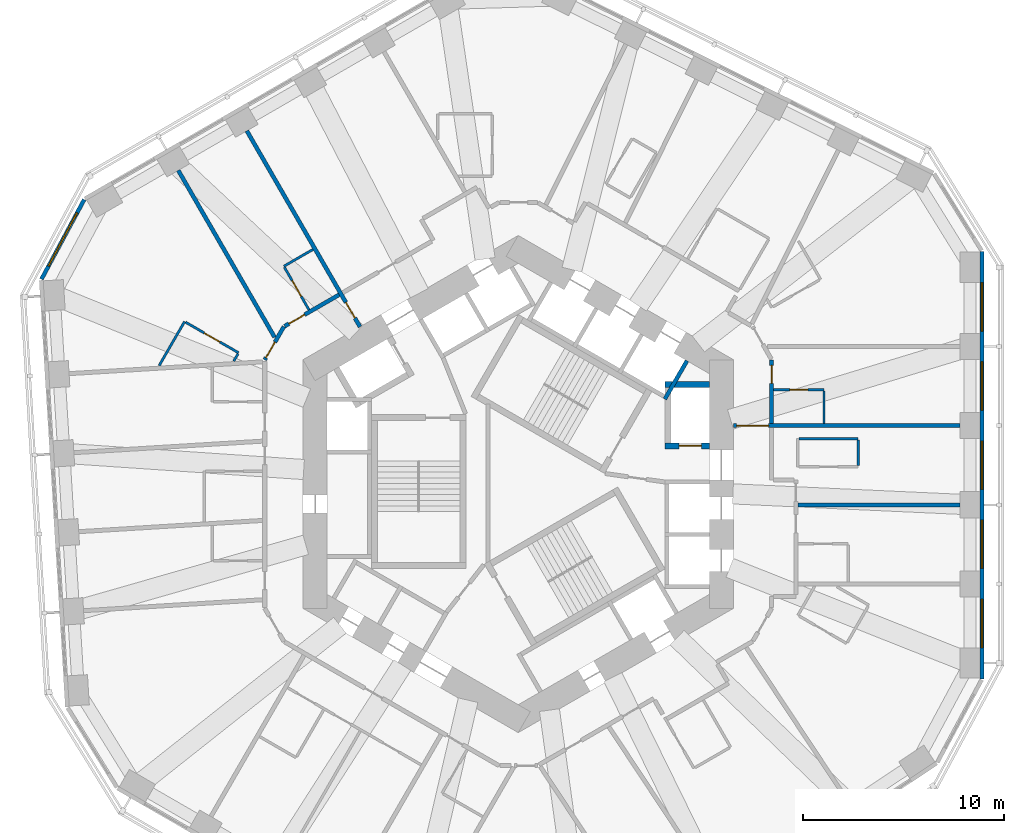
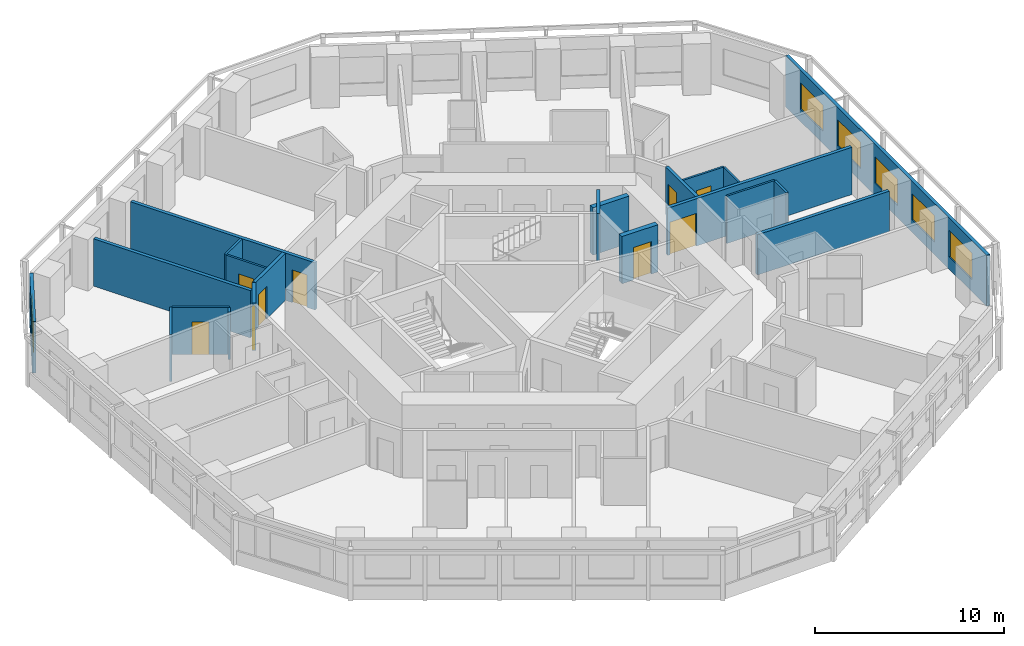
# One storey, part 7 of 12: 21 walls, 9 doors, 6 windows, 15 openings.
"""IFC4 building model written with IfcOpenShell, lengths in metres."""

from ifc_helpers import new_model, si_unit, direction, frame, frame_2d, origin, place, context, subcontext, project, spatial, rectangle, extrude, material, layer, layer_set, type_object, element, fill, save


model = new_model("IFC4")

# Units and contexts
model_context = context("Model", 3, precision=1e-05, world=origin(), true_north=direction((0.0, 1.0)))
body_context = subcontext(model_context, "Body", "Model", "MODEL_VIEW")
ifc_project = project(units=[si_unit("LENGTHUNIT", "METRE"), si_unit("AREAUNIT", "SQUARE_METRE"), si_unit("VOLUMEUNIT", "CUBIC_METRE"), si_unit("PLANEANGLEUNIT", "RADIAN"), si_unit("MASSUNIT", "GRAM", prefix="KILO")], contexts=[model_context])

# Site, building, storey
site_placement = place(None, origin())
site = spatial("IfcSite", under=ifc_project, at=site_placement, CompositionType="ELEMENT")
building_placement = place(site_placement, origin())
building = spatial("IfcBuilding", under=site, at=building_placement, Name="Vanh Sen Convention Tower", CompositionType="ELEMENT")
storey_placement = place(building_placement, frame((0.0, 0.0, 53.89990234375)))
storey = spatial("IfcBuildingStorey", under=building, at=storey_placement, Name="L10", CompositionType="ELEMENT", Elevation=53.89990234375)

# Wall
ifc_material_1 = material(Name="Moisture-resistant gypsum board on steel studs", Category="steel")
ifc_layer_1 = layer(ifc_material_1, 0.1201171875)
ifc_layer_set_1 = layer_set([ifc_layer_1], Name="Moisture-resistant gypsum board on steel studs")
wall_type_1 = type_object("IfcWallType", Name="Bathroom partition 120", PredefinedType="PARTITIONING", material=ifc_layer_set_1)
wall_1_placement = place(storey_placement, frame((-17.849365234375, 5.885498046875, 0.0), z_axis=(0.0, 0.0, 1.0), x_axis=(0.500034589094, 0.866005432841, 0.0)))
element("IfcWall", 1, at=wall_1_placement, inside=storey, type_object=wall_type_1, Name="Bathroom partition 120", PredefinedType="PARTITIONING", context=body_context, shape_type="SweptSolid", body=[
    extrude(rectangle(XDim=2.527587890625, YDim=0.1201171875, at=frame_2d((1.263671875, 0.0))), origin(), (0.0, 0.0, 1.0), 3.050048828125),
])

# Wall, opening, door
wall_2_placement = place(storey_placement, frame((-16.533447265625, 8.04443359375, 0.0), z_axis=(0.0, 0.0, 1.0), x_axis=(0.86601037836, -0.500026023896, 0.0)))
wall_2 = element("IfcWall", 2, at=wall_2_placement, inside=storey, type_object=wall_type_1, Name="Bathroom partition 120", PredefinedType="PARTITIONING", context=body_context, shape_type="SweptSolid", body=[
    extrude(rectangle(XDim=3.039794921875, YDim=0.1201171875, at=frame_2d((1.52001953125, 0.0))), origin(), (0.0, 0.0, 1.0), 3.050048828125),
])
opening_1_placement = place(wall_2_placement, frame((1.070068359375, 0.0, 0.0)))
opening_1 = element("IfcOpeningElement", 3, at=opening_1_placement, cuts=wall_2, Name="Opening D10119", PredefinedType="OPENING", context=body_context, shape_type="SweptSolid", body=[
    extrude(rectangle(XDim=0.89990234375, YDim=2.10009765625, at=frame_2d((0.449951171875, 1.050048828125))), frame((0.0, 0.070068359375, 0.0), z_axis=(0.0, -1.0, 0.0), x_axis=(1.0, 0.0, 0.0)), (0.0, 0.0, 1.0), 0.14013671875),
])
ifc_material_2 = material(Name="Laminate door in steel frame", Category="steel")
door_type_1 = type_object("IfcDoorType", Name="En-suite door 900", OperationType="SINGLE_SWING_LEFT", PredefinedType="DOOR", material=ifc_material_2)
door_1_placement = place(opening_1_placement, origin())
door_1 = element("IfcDoor", 4, at=door_1_placement, inside=storey, type_object=door_type_1, Name="En-suite door D10119", OperationType="SINGLE_SWING_LEFT", OverallHeight=2.10009765625, OverallWidth=0.89990234375, PredefinedType="DOOR", context=body_context, shape_type="SweptSolid", body=[
    extrude(rectangle(XDim=0.89990234375, YDim=2.10009765625, at=frame_2d((0.449951171875, 1.050048828125))), frame((0.0, 0.02490234375, 0.0), z_axis=(0.0, -1.0, 0.0), x_axis=(1.0, 0.0, 0.0)), (0.0, 0.0, 1.0), 0.050048828125),
])
fill(opening_1, door_1)

# Walls
wall_3_placement = place(storey_placement, frame((-13.930908203125, 6.472412109375, 0.0), z_axis=(0.0, 0.0, 1.0), x_axis=(-0.499739399214, -0.866175809448, 0.0)))
element("IfcWall", 5, at=wall_3_placement, inside=storey, type_object=wall_type_1, Name="Bathroom partition 120", PredefinedType="PARTITIONING", context=body_context, shape_type="SweptSolid", body=[
    extrude(rectangle(XDim=0.415771484375, YDim=0.1201171875, at=frame_2d((0.2080078125, 0.0))), origin(), (0.0, 0.0, 1.0), 3.050048828125),
])
wall_4_placement = place(storey_placement, frame((-11.65087890625, 10.82470703125, 0.0), z_axis=(0.0, 0.0, 1.0), x_axis=(0.865998477143, 0.500046635412, 0.0)))
element("IfcWall", 6, at=wall_4_placement, inside=storey, type_object=wall_type_1, Name="Bathroom partition 120", PredefinedType="PARTITIONING", context=body_context, shape_type="SweptSolid", body=[
    extrude(rectangle(XDim=1.673095703125, YDim=0.1201171875, at=frame_2d((0.83642578125, 0.0))), origin(), (0.0, 0.0, 1.0), 3.050048828125),
])

# Wall, opening, door
wall_5_placement = place(storey_placement, frame((-10.40087890625, 8.65966796875, 0.0), z_axis=(0.0, 0.0, 1.0), x_axis=(-0.500077547548, 0.865980627057, 0.0)))
wall_5 = element("IfcWall", 7, at=wall_5_placement, inside=storey, type_object=wall_type_1, Name="Bathroom partition 120", PredefinedType="PARTITIONING", context=body_context, shape_type="SweptSolid", body=[
    extrude(rectangle(XDim=2.43994140625, YDim=0.1201171875, at=frame_2d((1.219970703125, 0.0))), origin(), (0.0, 0.0, 1.0), 3.050048828125),
])
opening_2_placement = place(wall_5_placement, frame((0.77001953125, 0.0, 0.0)))
opening_2 = element("IfcOpeningElement", 8, at=opening_2_placement, cuts=wall_5, Name="Opening D10117", PredefinedType="OPENING", context=body_context, shape_type="SweptSolid", body=[
    extrude(rectangle(XDim=0.89990234375, YDim=2.10009765625, at=frame_2d((0.449951171875, 1.050048828125))), frame((0.0, 0.070068359375, 0.0), z_axis=(0.0, -1.0, 0.0), x_axis=(1.0, 0.0, 0.0)), (0.0, 0.0, 1.0), 0.14013671875),
])
door_2_placement = place(opening_2_placement, origin())
door_2 = element("IfcDoor", 9, at=door_2_placement, inside=storey, type_object=door_type_1, Name="En-suite door D10117", OperationType="SINGLE_SWING_LEFT", OverallHeight=2.10009765625, OverallWidth=0.89990234375, PredefinedType="DOOR", context=body_context, shape_type="SweptSolid", body=[
    extrude(rectangle(XDim=0.89990234375, YDim=2.10009765625, at=frame_2d((0.449951171875, 1.050048828125))), frame((0.0, 0.02490234375, 0.0), z_axis=(0.0, -1.0, 0.0), x_axis=(1.0, 0.0, 0.0)), (0.0, 0.0, 1.0), 0.050048828125),
])
fill(opening_2, door_2)

wall_6_placement = place(storey_placement, frame((12.699951171875, 4.677490234375, 0.0), z_axis=(0.0, 0.0, 1.0), x_axis=(1.0, 0.0, 0.0)))
wall_6 = element("IfcWall", 10, at=wall_6_placement, inside=storey, type_object=wall_type_1, Name="Bathroom partition 120", PredefinedType="PARTITIONING", context=body_context, shape_type="SweptSolid", body=[
    extrude(rectangle(XDim=2.5, YDim=0.1201171875, at=frame_2d((1.25, 0.0))), origin(), (0.0, 0.0, 1.0), 3.050048828125),
])
opening_3_placement = place(wall_6_placement, frame((0.800048828125, 0.0, 0.0)))
opening_3 = element("IfcOpeningElement", 11, at=opening_3_placement, cuts=wall_6, Name="Opening D10106", PredefinedType="OPENING", context=body_context, shape_type="SweptSolid", body=[
    extrude(rectangle(XDim=0.89990234375, YDim=2.10009765625, at=frame_2d((0.449951171875, 1.050048828125))), frame((0.0, 0.070068359375, 0.0), z_axis=(0.0, -1.0, 0.0), x_axis=(1.0, 0.0, 0.0)), (0.0, 0.0, 1.0), 0.14013671875),
])
door_3_placement = place(opening_3_placement, origin())
door_3 = element("IfcDoor", 12, at=door_3_placement, inside=storey, type_object=door_type_1, Name="En-suite door D10106", OperationType="SINGLE_SWING_LEFT", OverallHeight=2.10009765625, OverallWidth=0.89990234375, PredefinedType="DOOR", context=body_context, shape_type="SweptSolid", body=[
    extrude(rectangle(XDim=0.89990234375, YDim=2.10009765625, at=frame_2d((0.449951171875, 1.050048828125))), frame((0.0, 0.02490234375, 0.0), z_axis=(0.0, -1.0, 0.0), x_axis=(1.0, 0.0, 0.0)), (0.0, 0.0, 1.0), 0.050048828125),
])
fill(opening_3, door_3)

# Walls
wall_7_placement = place(storey_placement, frame((13.9599609375, 2.252685546875, 0.0), z_axis=(0.0, 0.0, 1.0), x_axis=(1.0, 0.0, 0.0)))
element("IfcWall", 13, at=wall_7_placement, inside=storey, type_object=wall_type_1, Name="Bathroom partition 120", PredefinedType="PARTITIONING", context=body_context, shape_type="SweptSolid", body=[
    extrude(rectangle(XDim=2.93994140625, YDim=0.1201171875, at=frame_2d((1.469970703125, 0.0))), origin(), (0.0, 0.0, 1.0), 3.050048828125),
])
wall_8_placement = place(storey_placement, frame((15.199951171875, 4.61767578125, 0.0), z_axis=(0.0, 0.0, 1.0), x_axis=(0.0, -1.0, 0.0)))
element("IfcWall", 14, at=wall_8_placement, inside=storey, type_object=wall_type_1, Name="Bathroom partition 120", PredefinedType="PARTITIONING", context=body_context, shape_type="SweptSolid", body=[
    extrude(rectangle(XDim=1.61328125, YDim=0.1201171875, at=frame_2d((0.806640625, 0.0))), origin(), (0.0, 0.0, 1.0), 3.050048828125),
])
wall_9_placement = place(storey_placement, frame((16.89990234375, 2.19287109375, 0.0), z_axis=(0.0, 0.0, 1.0), x_axis=(0.0, -1.0, 0.0)))
element("IfcWall", 15, at=wall_9_placement, inside=storey, type_object=wall_type_1, Name="Bathroom partition 120", PredefinedType="PARTITIONING", context=body_context, shape_type="SweptSolid", body=[
    extrude(rectangle(XDim=1.280029296875, YDim=0.1201171875, at=frame_2d((0.64013671875, 0.0))), origin(), (0.0, 0.0, 1.0), 3.050048828125),
])

# Wall, opening, door
ifc_material_3 = material(Name="Gypsum board on steel studs with mineral wool", Category="steel")
ifc_layer_2 = layer(ifc_material_3, 0.199951171875)
ifc_layer_set_2 = layer_set([ifc_layer_2], Name="Gypsum board on steel studs with mineral wool")
wall_type_2 = type_object("IfcWallType", Name="Corridor partition wall 200", PredefinedType="PARTITIONING", material=ifc_layer_set_2)
wall_10_placement = place(storey_placement, frame((-11.64990234375, 7.822998046875, 0.0), z_axis=(0.0, 0.0, 1.0), x_axis=(-0.500063520245, -0.865988727248, 0.0)))
wall_10 = element("IfcWall", 16, at=wall_10_placement, inside=storey, type_object=wall_type_2, Name="Corridor partition wall 200", PredefinedType="PARTITIONING", context=body_context, shape_type="SweptSolid", body=[
    extrude(rectangle(XDim=1.900146484375, YDim=0.199951171875, at=frame_2d((0.9501953125, 0.0))), origin(), (0.0, 0.0, 1.0), 3.050048828125),
])
opening_4_placement = place(wall_10_placement, frame((0.8818359375, 0.0, 0.0)))
opening_4 = element("IfcOpeningElement", 17, at=opening_4_placement, cuts=wall_10, Name="Opening D10118", PredefinedType="OPENING", context=body_context, shape_type="SweptSolid", body=[
    extrude(rectangle(XDim=0.89990234375, YDim=2.10009765625, at=frame_2d((0.449951171875, 1.050048828125))), frame((0.0, 0.10986328125, 0.0), z_axis=(0.0, -1.0, 0.0), x_axis=(1.0, 0.0, 0.0)), (0.0, 0.0, 1.0), 0.219970703125),
])
ifc_material_4 = material(Name="Timber fire door in steel frame", Category="steel")
door_type_2 = type_object("IfcDoorType", Name="Guest room door 900", OperationType="SINGLE_SWING_LEFT", PredefinedType="DOOR", material=ifc_material_4)
door_4_placement = place(opening_4_placement, origin())
door_4 = element("IfcDoor", 18, at=door_4_placement, inside=storey, type_object=door_type_2, Name="Hotel guest room door D10118", OperationType="SINGLE_SWING_LEFT", OverallHeight=2.10009765625, OverallWidth=0.89990234375, PredefinedType="DOOR", context=body_context, shape_type="SweptSolid", body=[
    extrude(rectangle(XDim=0.89990234375, YDim=2.10009765625, at=frame_2d((0.449951171875, 1.050048828125))), frame((0.0, 0.02490234375, 0.0), z_axis=(0.0, -1.0, 0.0), x_axis=(1.0, 0.0, 0.0)), (0.0, 0.0, 1.0), 0.050048828125),
])
fill(opening_4, door_4)

wall_11_placement = place(storey_placement, frame((-8.902099609375, 9.40966796875, 0.0), z_axis=(0.0, 0.0, 1.0), x_axis=(-0.866014299198, -0.500019233215, 0.0)))
wall_11 = element("IfcWall", 19, at=wall_11_placement, inside=storey, type_object=wall_type_2, Name="Corridor partition wall 200", PredefinedType="PARTITIONING", context=body_context, shape_type="SweptSolid", body=[
    extrude(rectangle(XDim=3.13330078125, YDim=0.199951171875, at=frame_2d((1.566650390625, 0.0))), origin(), (0.0, 0.0, 1.0), 3.050048828125),
])
opening_5_placement = place(wall_11_placement, frame((1.97802734375, 0.0, 0.0)))
opening_5 = element("IfcOpeningElement", 20, at=opening_5_placement, cuts=wall_11, Name="Opening D10116", PredefinedType="OPENING", context=body_context, shape_type="SweptSolid", body=[
    extrude(rectangle(XDim=0.89990234375, YDim=2.10009765625, at=frame_2d((0.449951171875, 1.050048828125))), frame((0.0, 0.10986328125, 0.0), z_axis=(0.0, -1.0, 0.0), x_axis=(1.0, 0.0, 0.0)), (0.0, 0.0, 1.0), 0.219970703125),
])
door_5_placement = place(opening_5_placement, origin())
door_5 = element("IfcDoor", 21, at=door_5_placement, inside=storey, type_object=door_type_2, Name="Hotel guest room door D10116", OperationType="SINGLE_SWING_LEFT", OverallHeight=2.10009765625, OverallWidth=0.89990234375, PredefinedType="DOOR", context=body_context, shape_type="SweptSolid", body=[
    extrude(rectangle(XDim=0.89990234375, YDim=2.10009765625, at=frame_2d((0.449951171875, 1.050048828125))), frame((0.0, 0.02490234375, 0.0), z_axis=(0.0, -1.0, 0.0), x_axis=(1.0, 0.0, 0.0)), (0.0, 0.0, 1.0), 0.050048828125),
])
fill(opening_5, door_5)

wall_12_placement = place(storey_placement, frame((12.60009765625, 3.00439453125, 0.0), z_axis=(0.0, 0.0, 1.0), x_axis=(0.0, 1.0, 0.0)))
wall_12 = element("IfcWall", 22, at=wall_12_placement, inside=storey, type_object=wall_type_2, Name="Corridor partition wall 200", PredefinedType="PARTITIONING", context=body_context, shape_type="SweptSolid", body=[
    extrude(rectangle(XDim=3.173095703125, YDim=0.199951171875, at=frame_2d((1.58642578125, 0.0))), origin(), (0.0, 0.0, 1.0), 3.050048828125),
])
opening_6_placement = place(wall_12_placement, frame((1.998046875, 0.0, 0.0)))
opening_6 = element("IfcOpeningElement", 23, at=opening_6_placement, cuts=wall_12, Name="Opening D10105", PredefinedType="OPENING", context=body_context, shape_type="SweptSolid", body=[
    extrude(rectangle(XDim=0.89990234375, YDim=2.10009765625, at=frame_2d((0.449951171875, 1.050048828125))), frame((0.0, 0.10986328125, 0.0), z_axis=(0.0, -1.0, 0.0), x_axis=(1.0, 0.0, 0.0)), (0.0, 0.0, 1.0), 0.219970703125),
])
door_6_placement = place(opening_6_placement, origin())
door_6 = element("IfcDoor", 24, at=door_6_placement, inside=storey, type_object=door_type_2, Name="Hotel guest room door D10105", OperationType="SINGLE_SWING_LEFT", OverallHeight=2.10009765625, OverallWidth=0.89990234375, PredefinedType="DOOR", context=body_context, shape_type="SweptSolid", body=[
    extrude(rectangle(XDim=0.89990234375, YDim=2.10009765625, at=frame_2d((0.449951171875, 1.050048828125))), frame((0.0, 0.02490234375, 0.0), z_axis=(0.0, -1.0, 0.0), x_axis=(1.0, 0.0, 0.0)), (0.0, 0.0, 1.0), 0.050048828125),
])
fill(opening_6, door_6)

# Wall, openings, windows
ifc_material_5 = material(Name="Insulated lightweight infill wall")
ifc_layer_3 = layer(ifc_material_5, 0.199951171875)
ifc_layer_set_3 = layer_set([ifc_layer_3], Name="Insulated lightweight infill wall")
wall_type_3 = type_object("IfcWallType", Name="External wall 200", PredefinedType="STANDARD", material=ifc_layer_set_3)
wall_13_placement = place(storey_placement, frame((23.050048828125, -9.6865234375, 0.0), z_axis=(0.0, 0.0, 1.0), x_axis=(0.0, 1.0, 0.0)))
wall_13 = element("IfcWall", 25, at=wall_13_placement, inside=storey, type_object=wall_type_3, Name="External wall E L10", PredefinedType="STANDARD", context=body_context, shape_type="SweptSolid", body=[
    extrude(rectangle(XDim=21.24609375, YDim=0.199951171875, at=frame_2d((10.623046875, 0.0))), origin(), (0.0, 0.0, 1.0), 3.300048828125),
])
opening_7_placement = place(wall_13_placement, frame((1.5546875, 0.0, 0.800048828125)))
opening_7 = element("IfcOpeningElement", 26, at=opening_7_placement, cuts=wall_13, Name="Opening WH1-E1", PredefinedType="OPENING", context=body_context, shape_type="SweptSolid", body=[
    extrude(rectangle(XDim=2.39990234375, YDim=1.699951171875, at=frame_2d((1.199951171875, 0.85009765625))), frame((0.0, 0.10986328125, 0.0), z_axis=(0.0, -1.0, 0.0), x_axis=(1.0, 0.0, 0.0)), (0.0, 0.0, 1.0), 0.219970703125),
])
opening_8_placement = place(wall_13_placement, frame((5.4892578125, 0.0, 0.800048828125)))
opening_8 = element("IfcOpeningElement", 27, at=opening_8_placement, cuts=wall_13, Name="Opening WH1-E2", PredefinedType="OPENING", context=body_context, shape_type="SweptSolid", body=[
    extrude(rectangle(XDim=2.39990234375, YDim=1.699951171875, at=frame_2d((1.199951171875, 0.85009765625))), frame((0.0, 0.10986328125, 0.0), z_axis=(0.0, -1.0, 0.0), x_axis=(1.0, 0.0, 0.0)), (0.0, 0.0, 1.0), 0.219970703125),
])
opening_9_placement = place(wall_13_placement, frame((9.423828125, 0.0, 0.800048828125)))
opening_9 = element("IfcOpeningElement", 28, at=opening_9_placement, cuts=wall_13, Name="Opening WH1-E3", PredefinedType="OPENING", context=body_context, shape_type="SweptSolid", body=[
    extrude(rectangle(XDim=2.39990234375, YDim=1.699951171875, at=frame_2d((1.199951171875, 0.85009765625))), frame((0.0, 0.10986328125, 0.0), z_axis=(0.0, -1.0, 0.0), x_axis=(1.0, 0.0, 0.0)), (0.0, 0.0, 1.0), 0.219970703125),
])
opening_10_placement = place(wall_13_placement, frame((13.3583984375, 0.0, 0.800048828125)))
opening_10 = element("IfcOpeningElement", 29, at=opening_10_placement, cuts=wall_13, Name="Opening WH1-E4", PredefinedType="OPENING", context=body_context, shape_type="SweptSolid", body=[
    extrude(rectangle(XDim=2.39990234375, YDim=1.699951171875, at=frame_2d((1.199951171875, 0.85009765625))), frame((0.0, 0.10986328125, 0.0), z_axis=(0.0, -1.0, 0.0), x_axis=(1.0, 0.0, 0.0)), (0.0, 0.0, 1.0), 0.219970703125),
])
opening_11_placement = place(wall_13_placement, frame((17.29296875, 0.0, 0.800048828125)))
opening_11 = element("IfcOpeningElement", 30, at=opening_11_placement, cuts=wall_13, Name="Opening WH1-E5", PredefinedType="OPENING", context=body_context, shape_type="SweptSolid", body=[
    extrude(rectangle(XDim=2.39990234375, YDim=1.699951171875, at=frame_2d((1.199951171875, 0.85009765625))), frame((0.0, 0.10986328125, 0.0), z_axis=(0.0, -1.0, 0.0), x_axis=(1.0, 0.0, 0.0)), (0.0, 0.0, 1.0), 0.219970703125),
])
ifc_material_6 = material(Name="Aluminium frame with clear low-emissivity glass", Category="aluminium")
window_type_1 = type_object("IfcWindowType", Name="Hotel window 2400 x 1700", PartitioningType="SINGLE_PANEL", PredefinedType="WINDOW", material=ifc_material_6)
window_1_placement = place(opening_7_placement, origin())
window_1 = element("IfcWindow", 31, at=window_1_placement, inside=storey, type_object=window_type_1, Name="Window WH1-E1", OverallHeight=1.699951171875, OverallWidth=2.39990234375, PartitioningType="SINGLE_PANEL", PredefinedType="WINDOW", context=body_context, shape_type="SweptSolid", body=[
    extrude(rectangle(XDim=2.39990234375, YDim=1.699951171875, at=frame_2d((1.199951171875, 0.85009765625))), frame((0.0, 0.030029296875, 0.0), z_axis=(0.0, -1.0, 0.0), x_axis=(1.0, 0.0, 0.0)), (0.0, 0.0, 1.0), 0.06005859375),
])
fill(opening_7, window_1)
window_2_placement = place(opening_8_placement, origin())
window_2 = element("IfcWindow", 32, at=window_2_placement, inside=storey, type_object=window_type_1, Name="Window WH1-E2", OverallHeight=1.699951171875, OverallWidth=2.39990234375, PartitioningType="SINGLE_PANEL", PredefinedType="WINDOW", context=body_context, shape_type="SweptSolid", body=[
    extrude(rectangle(XDim=2.39990234375, YDim=1.699951171875, at=frame_2d((1.199951171875, 0.85009765625))), frame((0.0, 0.030029296875, 0.0), z_axis=(0.0, -1.0, 0.0), x_axis=(1.0, 0.0, 0.0)), (0.0, 0.0, 1.0), 0.06005859375),
])
fill(opening_8, window_2)
window_3_placement = place(opening_9_placement, origin())
window_3 = element("IfcWindow", 33, at=window_3_placement, inside=storey, type_object=window_type_1, Name="Window WH1-E3", OverallHeight=1.699951171875, OverallWidth=2.39990234375, PartitioningType="SINGLE_PANEL", PredefinedType="WINDOW", context=body_context, shape_type="SweptSolid", body=[
    extrude(rectangle(XDim=2.39990234375, YDim=1.699951171875, at=frame_2d((1.199951171875, 0.85009765625))), frame((0.0, 0.030029296875, 0.0), z_axis=(0.0, -1.0, 0.0), x_axis=(1.0, 0.0, 0.0)), (0.0, 0.0, 1.0), 0.06005859375),
])
fill(opening_9, window_3)
window_4_placement = place(opening_10_placement, origin())
window_4 = element("IfcWindow", 34, at=window_4_placement, inside=storey, type_object=window_type_1, Name="Window WH1-E4", OverallHeight=1.699951171875, OverallWidth=2.39990234375, PartitioningType="SINGLE_PANEL", PredefinedType="WINDOW", context=body_context, shape_type="SweptSolid", body=[
    extrude(rectangle(XDim=2.39990234375, YDim=1.699951171875, at=frame_2d((1.199951171875, 0.85009765625))), frame((0.0, 0.030029296875, 0.0), z_axis=(0.0, -1.0, 0.0), x_axis=(1.0, 0.0, 0.0)), (0.0, 0.0, 1.0), 0.06005859375),
])
fill(opening_10, window_4)
window_5_placement = place(opening_11_placement, origin())
window_5 = element("IfcWindow", 35, at=window_5_placement, inside=storey, type_object=window_type_1, Name="Window WH1-E5", OverallHeight=1.699951171875, OverallWidth=2.39990234375, PartitioningType="SINGLE_PANEL", PredefinedType="WINDOW", context=body_context, shape_type="SweptSolid", body=[
    extrude(rectangle(XDim=2.39990234375, YDim=1.699951171875, at=frame_2d((1.199951171875, 0.85009765625))), frame((0.0, 0.030029296875, 0.0), z_axis=(0.0, -1.0, 0.0), x_axis=(1.0, 0.0, 0.0)), (0.0, 0.0, 1.0), 0.06005859375),
])
fill(opening_11, window_5)

# Wall, opening, window
wall_14_placement = place(storey_placement, frame((-21.573974609375, 14.142822265625, 0.0), z_axis=(0.0, 0.0, 1.0), x_axis=(-0.473292949472, -0.880905093628, 0.0)))
wall_14 = element("IfcWall", 36, at=wall_14_placement, inside=storey, type_object=wall_type_3, Name="External wall CH3 L10", PredefinedType="STANDARD", context=body_context, shape_type="SweptSolid", body=[
    extrude(rectangle(XDim=4.493896484375, YDim=0.199951171875, at=frame_2d((2.2470703125, 0.0))), origin(), (0.0, 0.0, 1.0), 3.300048828125),
])
opening_12_placement = place(wall_14_placement, frame((0.746826171875, 0.0, 0.800048828125)))
opening_12 = element("IfcOpeningElement", 37, at=opening_12_placement, cuts=wall_14, Name="Opening WH2-CH31", PredefinedType="OPENING", context=body_context, shape_type="SweptSolid", body=[
    extrude(rectangle(XDim=3.0, YDim=1.699951171875, at=frame_2d((1.5, 0.85009765625))), frame((0.0, 0.10986328125, 0.0), z_axis=(0.0, -1.0, 0.0), x_axis=(1.0, 0.0, 0.0)), (0.0, 0.0, 1.0), 0.219970703125),
])
window_type_2 = type_object("IfcWindowType", Name="Hotel window 3000 x 1700", PartitioningType="SINGLE_PANEL", PredefinedType="WINDOW", material=ifc_material_6)
window_6_placement = place(opening_12_placement, origin())
window_6 = element("IfcWindow", 38, at=window_6_placement, inside=storey, type_object=window_type_2, Name="Window WH2-CH31", OverallHeight=1.699951171875, OverallWidth=3.0, PartitioningType="SINGLE_PANEL", PredefinedType="WINDOW", context=body_context, shape_type="SweptSolid", body=[
    extrude(rectangle(XDim=3.0, YDim=1.699951171875, at=frame_2d((1.5, 0.85009765625))), frame((0.0, 0.030029296875, 0.0), z_axis=(0.0, -1.0, 0.0), x_axis=(1.0, 0.0, 0.0)), (0.0, 0.0, 1.0), 0.06005859375),
])
fill(opening_12, window_6)

# Wall, opening, door
ifc_material_7 = material(Name="Concrete C60/75", Category="concrete")
ifc_layer_4 = layer(ifc_material_7, 0.300048828125)
ifc_layer_set_4 = layer_set([ifc_layer_4], Name="Concrete C60/75")
wall_type_4 = type_object("IfcWallType", Name="Fire-fighting lift shaft wall 300", PredefinedType="SHEAR", material=ifc_layer_set_4)
wall_15_placement = place(storey_placement, frame((7.300048828125, 1.89990234375, 0.0), z_axis=(0.0, 0.0, 1.0), x_axis=(1.0, 0.0, 0.0)))
wall_15 = element("IfcWall", 39, at=wall_15_placement, inside=storey, type_object=wall_type_4, Name="Fire-fighting lift shaft wall L10", PredefinedType="SHEAR", context=body_context, shape_type="SweptSolid", body=[
    extrude(rectangle(XDim=2.199951171875, YDim=0.300048828125, at=frame_2d((1.10009765625, 0.0))), origin(), (0.0, 0.0, 1.0), 3.050048828125),
])
opening_13_placement = place(wall_15_placement, frame((0.699951171875, 0.0, 0.0)))
opening_13 = element("IfcOpeningElement", 40, at=opening_13_placement, cuts=wall_15, Name="Opening LD-FF1", PredefinedType="OPENING", context=body_context, shape_type="SweptSolid", body=[
    extrude(rectangle(XDim=1.10009765625, YDim=2.10009765625, at=frame_2d((0.550048828125, 1.050048828125))), frame((0.0, 0.159912109375, 0.0), z_axis=(0.0, -1.0, 0.0), x_axis=(1.0, 0.0, 0.0)), (0.0, 0.0, 1.0), 0.320068359375),
])
ifc_material_8 = material(Name="Stainless steel", Category="steel")
door_type_3 = type_object("IfcDoorType", Name="Fire-fighting lift landing door 1100", OperationType="DOUBLE_DOOR_SLIDING", PredefinedType="DOOR", material=ifc_material_8)
door_7_placement = place(opening_13_placement, origin())
door_7 = element("IfcDoor", 41, at=door_7_placement, inside=storey, type_object=door_type_3, Name="Lift FF1 landing door LD-FF1", OperationType="DOUBLE_DOOR_SLIDING", OverallHeight=2.10009765625, OverallWidth=1.10009765625, PredefinedType="DOOR", context=body_context, shape_type="SweptSolid", body=[
    extrude(rectangle(XDim=1.10009765625, YDim=2.10009765625, at=frame_2d((0.550048828125, 1.050048828125))), frame((0.0, 0.02490234375, 0.0), z_axis=(0.0, -1.0, 0.0), x_axis=(1.0, 0.0, 0.0)), (0.0, 0.0, 1.0), 0.050048828125),
])
fill(opening_13, door_7)

# Walls
wall_16_placement = place(storey_placement, frame((7.300048828125, 4.949951171875, 0.0), z_axis=(0.0, 0.0, 1.0), x_axis=(1.0, 0.0, 0.0)))
element("IfcWall", 42, at=wall_16_placement, inside=storey, type_object=wall_type_4, Name="Fire-fighting lift shaft wall L10", PredefinedType="SHEAR", context=body_context, shape_type="SweptSolid", body=[
    extrude(rectangle(XDim=2.199951171875, YDim=0.300048828125, at=frame_2d((1.10009765625, 0.0))), origin(), (0.0, 0.0, 1.0), 3.050048828125),
])
ifc_layer_5 = layer(ifc_material_3, 0.199951171875)
ifc_layer_set_5 = layer_set([ifc_layer_5], Name="Gypsum board on steel studs with mineral wool")
wall_type_5 = type_object("IfcWallType", Name="Hotel party wall 200", PredefinedType="PARTITIONING", material=ifc_layer_set_5)
wall_17_placement = place(storey_placement, frame((-16.89794921875, 15.589599609375, 0.0), z_axis=(0.0, 0.0, 1.0), x_axis=(0.500023458698, -0.866011859475, 0.0)))
element("IfcWall", 43, at=wall_17_placement, inside=storey, type_object=wall_type_5, Name="Hotel party wall 200", PredefinedType="PARTITIONING", context=body_context, shape_type="SweptSolid", body=[
    extrude(rectangle(XDim=9.57177734375, YDim=0.199951171875, at=frame_2d((4.785888671875, 0.0))), origin(), (0.0, 0.0, 1.0), 3.050048828125),
])
wall_18_placement = place(storey_placement, frame((21.949951171875, -1.030029296875, 0.0), z_axis=(0.0, 0.0, 1.0), x_axis=(-1.0, 0.0, 0.0)))
element("IfcWall", 44, at=wall_18_placement, inside=storey, type_object=wall_type_5, Name="Hotel party wall 200", PredefinedType="PARTITIONING", context=body_context, shape_type="SweptSolid", body=[
    extrude(rectangle(XDim=8.049072265625, YDim=0.199951171875, at=frame_2d((4.0244140625, 0.0))), origin(), (0.0, 0.0, 1.0), 2.60009765625),
])
ifc_material_9 = material(Name="Concrete C40/50", Category="concrete")
ifc_layer_6 = layer(ifc_material_9, 0.199951171875)
ifc_layer_set_6 = layer_set([ifc_layer_6], Name="Concrete C40/50")
wall_type_6 = type_object("IfcWallType", Name="Lift shaft wall 200", PredefinedType="PARTITIONING", material=ifc_layer_set_6)
wall_19_placement = place(storey_placement, frame((7.287353515625, 4.221923828125, 0.0), z_axis=(0.0, 0.0, 1.0), x_axis=(0.499946605688, 0.86605622881, 0.0)))
element("IfcWall", 45, at=wall_19_placement, inside=storey, type_object=wall_type_6, Name="Lift shaft wall L10", PredefinedType="PARTITIONING", context=body_context, shape_type="SweptSolid", body=[
    extrude(rectangle(XDim=2.199951171875, YDim=0.199951171875, at=frame_2d((1.10009765625, 0.0))), origin(), (0.0, 0.0, 1.0), 3.050048828125),
])

# Wall, opening, door
ifc_material_10 = material(Name="Concrete C20/25", Category="concrete")
ifc_layer_7 = layer(ifc_material_10, 0.199951171875)
ifc_layer_set_7 = layer_set([ifc_layer_7], Name="Concrete C20/25")
wall_type_7 = type_object("IfcWallType", Name="Sub-compartment wall 200", PredefinedType="PARTITIONING", material=ifc_layer_set_7)
wall_20_placement = place(storey_placement, frame((-7.865478515625, 7.814208984375, 0.0), z_axis=(0.0, 0.0, 1.0), x_axis=(-0.500004234368, 0.866022959057, 0.0)))
wall_20 = element("IfcWall", 46, at=wall_20_placement, inside=storey, type_object=wall_type_7, Name="Sub-compartment wall 200", PredefinedType="PARTITIONING", context=body_context, shape_type="SweptSolid", body=[
    extrude(rectangle(XDim=11.25, YDim=0.199951171875, at=frame_2d((5.625, 0.0))), origin(), (0.0, 0.0, 1.0), 3.050048828125),
])
opening_14_placement = place(wall_20_placement, frame((0.5, 0.0, 0.0)))
opening_14 = element("IfcOpeningElement", 47, at=opening_14_placement, cuts=wall_20, Name="Opening D10139", PredefinedType="OPENING", context=body_context, shape_type="SweptSolid", body=[
    extrude(rectangle(XDim=0.89990234375, YDim=2.10009765625, at=frame_2d((0.449951171875, 1.050048828125))), frame((0.0, 0.10986328125, 0.0), z_axis=(0.0, -1.0, 0.0), x_axis=(1.0, 0.0, 0.0)), (0.0, 0.0, 1.0), 0.219970703125),
])
ifc_material_11 = material(Name="Steel S355", Category="steel")
door_type_4 = type_object("IfcDoorType", Name="Corridor fire door 900", OperationType="SINGLE_SWING_LEFT", PredefinedType="DOOR", material=ifc_material_11)
door_8_placement = place(opening_14_placement, origin())
door_8 = element("IfcDoor", 48, at=door_8_placement, inside=storey, type_object=door_type_4, Name="Sub-compartment door D10139", OperationType="SINGLE_SWING_LEFT", OverallHeight=2.10009765625, OverallWidth=0.89990234375, PredefinedType="DOOR", context=body_context, shape_type="SweptSolid", body=[
    extrude(rectangle(XDim=0.89990234375, YDim=2.10009765625, at=frame_2d((0.449951171875, 1.050048828125))), frame((0.0, 0.02490234375, 0.0), z_axis=(0.0, -1.0, 0.0), x_axis=(1.0, 0.0, 0.0)), (0.0, 0.0, 1.0), 0.050048828125),
])
fill(opening_14, door_8)

wall_21_placement = place(storey_placement, frame((21.949951171875, 2.904541015625, 0.0), z_axis=(0.0, 0.0, 1.0), x_axis=(-1.0, 0.0, 0.0)))
wall_21 = element("IfcWall", 49, at=wall_21_placement, inside=storey, type_object=wall_type_7, Name="Sub-compartment wall 200", PredefinedType="PARTITIONING", context=body_context, shape_type="SweptSolid", body=[
    extrude(rectangle(XDim=11.25, YDim=0.199951171875, at=frame_2d((5.625, 0.0))), origin(), (0.0, 0.0, 1.0), 3.050048828125),
])
opening_15_placement = place(wall_21_placement, frame((9.5, 0.0, 0.0)))
opening_15 = element("IfcOpeningElement", 50, at=opening_15_placement, cuts=wall_21, Name="Opening D10140", PredefinedType="OPENING", context=body_context, shape_type="SweptSolid", body=[
    extrude(rectangle(XDim=1.60009765625, YDim=2.10009765625, at=frame_2d((0.800048828125, 1.050048828125))), frame((0.0, 0.10986328125, 0.0), z_axis=(0.0, -1.0, 0.0), x_axis=(1.0, 0.0, 0.0)), (0.0, 0.0, 1.0), 0.219970703125),
])
door_type_5 = type_object("IfcDoorType", Name="Corridor fire door 1600", OperationType="DOUBLE_DOOR_SINGLE_SWING", PredefinedType="DOOR", material=ifc_material_11)
door_9_placement = place(opening_15_placement, origin())
door_9 = element("IfcDoor", 51, at=door_9_placement, inside=storey, type_object=door_type_5, Name="Sub-compartment door D10140", OperationType="DOUBLE_DOOR_SINGLE_SWING", OverallHeight=2.10009765625, OverallWidth=1.60009765625, PredefinedType="DOOR", context=body_context, shape_type="SweptSolid", body=[
    extrude(rectangle(XDim=1.60009765625, YDim=2.10009765625, at=frame_2d((0.800048828125, 1.050048828125))), frame((0.0, 0.02490234375, 0.0), z_axis=(0.0, -1.0, 0.0), x_axis=(1.0, 0.0, 0.0)), (0.0, 0.0, 1.0), 0.050048828125),
])
fill(opening_15, door_9)

save(model, "model.ifc")
